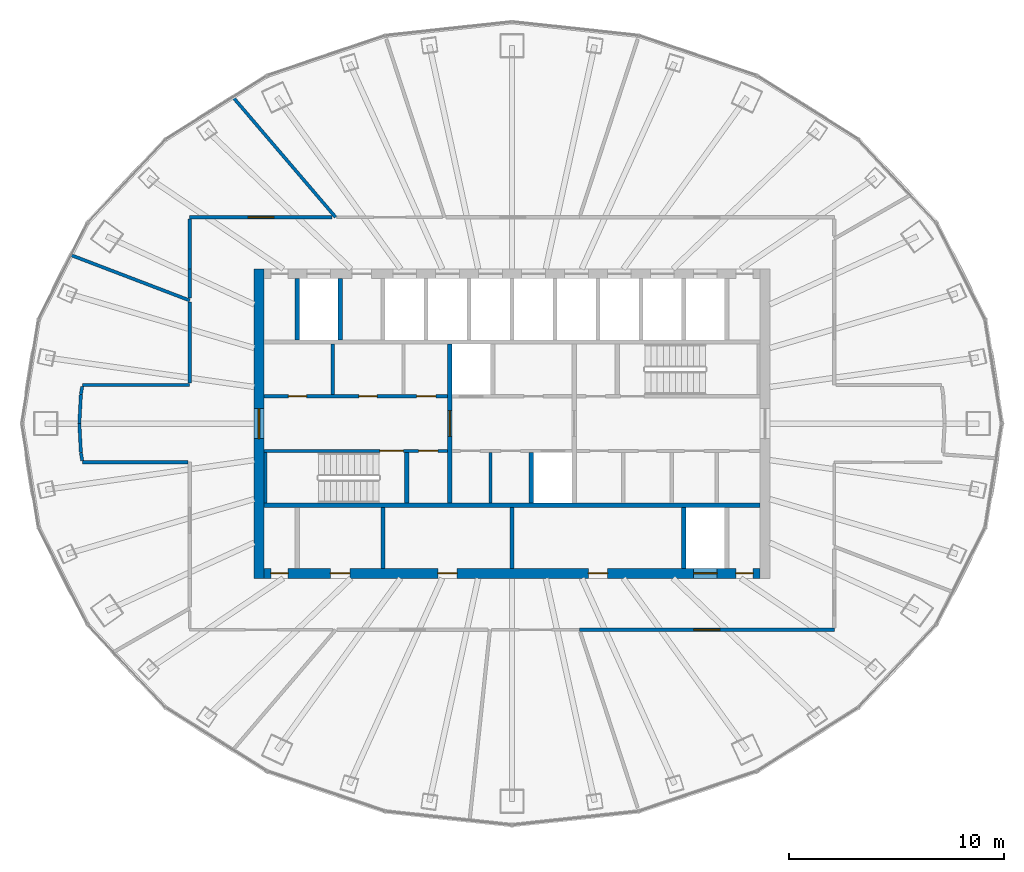
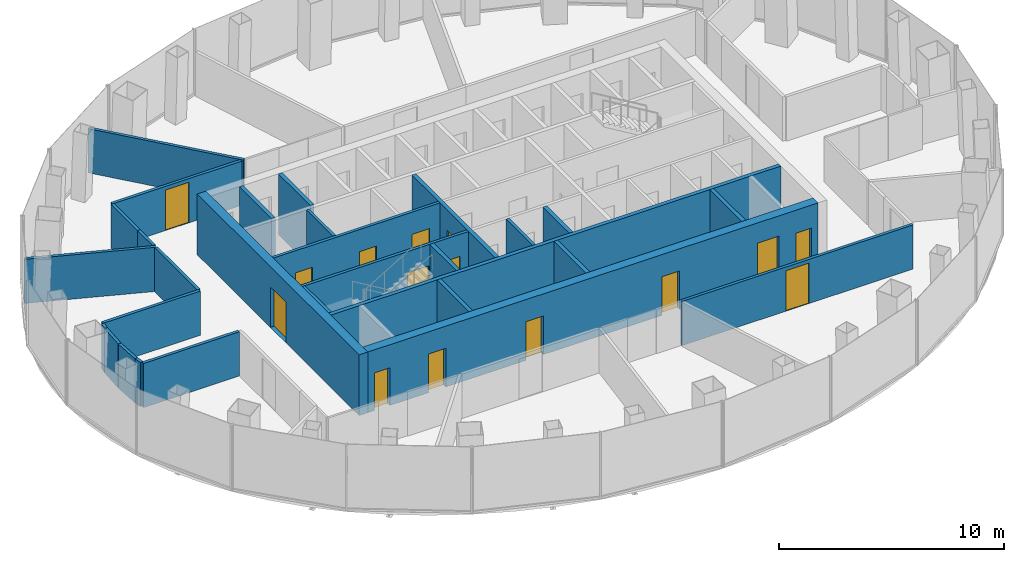
# One storey, part 8 of 11: 29 walls, 15 doors, 15 openings.
"""IFC4 building model written with IfcOpenShell, lengths in metres."""

from ifc_helpers import new_model, si_unit, direction, frame, frame_2d, origin, place, context, subcontext, project, spatial, rectangle, extrude, material, layer, layer_set, type_object, element, fill, save


model = new_model("IFC4")

# Units and contexts
model_context = context("Model", 3, precision=1e-05, world=origin(), true_north=direction((0.0, 1.0)))
body_context = subcontext(model_context, "Body", "Model", "MODEL_VIEW")
ifc_project = project(units=[si_unit("LENGTHUNIT", "METRE"), si_unit("AREAUNIT", "SQUARE_METRE"), si_unit("VOLUMEUNIT", "CUBIC_METRE"), si_unit("PLANEANGLEUNIT", "RADIAN"), si_unit("MASSUNIT", "GRAM", prefix="KILO")], contexts=[model_context])

# Site, building, storey
site_placement = place(None, origin())
site = spatial("IfcSite", under=ifc_project, at=site_placement, CompositionType="ELEMENT")
building_placement = place(site_placement, origin())
building = spatial("IfcBuilding", under=site, at=building_placement, Name="Siaravel Broadcast Tower", CompositionType="ELEMENT")
storey_placement = place(building_placement, frame((0.0, 0.0, 194.10009765625)))
storey = spatial("IfcBuildingStorey", under=building, at=storey_placement, Name="L47", CompositionType="ELEMENT", Elevation=194.10009765625)

# Walls
ifc_material_1 = material(Name="Concrete blockwork", Category="masonry")
ifc_layer_1 = layer(ifc_material_1, 0.14990234375)
ifc_layer_set_1 = layer_set([ifc_layer_1], Name="Concrete blockwork")
wall_type_1 = type_object("IfcWallType", Name="Core partition 150", PredefinedType="PARTITIONING", material=ifc_layer_set_1)
for number, where, z_axis, x_axis, name in (
    (1, (-8.340087890625, 1.35009765625, 0.0), (0.0, 0.0, 1.0), (0.0, 1.0, 0.0), "L47 core partition PNW0"),
    (2, (-1.0, -3.699951171875, 0.0), (0.0, 0.0, 1.0), (0.0, 1.0, 0.0), "L47 core partition PSM0"),
):
    element("IfcWall", number, at=place(storey_placement, frame(where, z_axis=z_axis, x_axis=x_axis)), inside=storey, type_object=wall_type_1, Name=name, PredefinedType="PARTITIONING", context=body_context, shape_type="SweptSolid", body=[
        extrude(rectangle(XDim=2.349853515625, YDim=0.14990234375, at=frame_2d((1.1748046875, 0.0))), origin(), (0.0, 0.0, 1.0), 3.2998046875),
    ])
ifc_layer_2 = layer(ifc_material_1, 0.199951171875)
ifc_layer_set_2 = layer_set([ifc_layer_2], Name="Concrete blockwork")
wall_type_2 = type_object("IfcWallType", Name="Core partition 200", PredefinedType="PARTITIONING", material=ifc_layer_set_2)
for number, where, z_axis, x_axis, name in (
    (3, (-6.0, -6.75, 0.0), (0.0, 0.0, 1.0), (0.0, 1.0, 0.0), "L47 core partition PFS0"),
    (4, (0.0, -6.75, 0.0), (0.0, 0.0, 1.0), (0.0, 1.0, 0.0), "L47 core partition PFS2"),
):
    element("IfcWall", number, at=place(storey_placement, frame(where, z_axis=z_axis, x_axis=x_axis)), inside=storey, type_object=wall_type_2, Name=name, PredefinedType="PARTITIONING", context=body_context, shape_type="SweptSolid", body=[
        extrude(rectangle(XDim=2.85009765625, YDim=0.199951171875, at=frame_2d((1.425048828125, 0.0))), origin(), (0.0, 0.0, 1.0), 3.2998046875),
    ])

# Wall, opening, door
ifc_material_2 = material(Name="Concrete C60/75", Category="concrete")
ifc_layer_3 = layer(ifc_material_2, 0.449951171875)
ifc_layer_set_3 = layer_set([ifc_layer_3], Name="Concrete C60/75")
wall_type_3 = type_object("IfcWallType", Name="Core wall 450", PredefinedType="SHEAR", material=ifc_layer_set_3)
wall_1_placement = place(storey_placement, frame((-11.77490234375, -7.199951171875, 0.0), z_axis=(0.0, 0.0, 1.0), x_axis=(0.0, 1.0, 0.0)))
wall_1 = element("IfcWall", 5, at=wall_1_placement, inside=storey, type_object=wall_type_3, Name="L47 core wall OW", PredefinedType="SHEAR", context=body_context, shape_type="SweptSolid", body=[
    extrude(rectangle(XDim=14.39990234375, YDim=0.449951171875, at=frame_2d((7.199951171875, 0.0))), origin(), (0.0, 0.0, 1.0), 3.2998046875),
])
opening_1_placement = place(wall_1_placement, frame((6.5, 0.0, 0.0)))
opening_1 = element("IfcOpeningElement", 6, at=opening_1_placement, cuts=wall_1, Name="Opening L47-DX-W", PredefinedType="OPENING", context=body_context, shape_type="SweptSolid", body=[
    extrude(rectangle(XDim=1.39990234375, YDim=2.199951171875, at=frame_2d((0.699951171875, 1.10009765625))), frame((0.0, 0.23486328125, 0.0), z_axis=(0.0, -1.0, 0.0), x_axis=(1.0, 0.0, 0.0)), (0.0, 0.0, 1.0), 0.469970703125),
])
ifc_material_3 = material(Name="Steel", Category="steel")
door_type_1 = type_object("IfcDoorType", Name="Core exit door 1400", OperationType="DOUBLE_DOOR_SINGLE_SWING", PredefinedType="DOOR", material=ifc_material_3)
door_1_placement = place(opening_1_placement, origin())
door_1 = element("IfcDoor", 7, at=door_1_placement, inside=storey, type_object=door_type_1, Name="L47 door DX-W", OperationType="DOUBLE_DOOR_SINGLE_SWING", OverallHeight=2.199951171875, OverallWidth=1.39990234375, PredefinedType="DOOR", context=body_context, shape_type="SweptSolid", body=[
    extrude(rectangle(XDim=1.39990234375, YDim=2.199951171875, at=frame_2d((0.699951171875, 1.10009765625))), frame((0.0, 0.02490234375, 0.0), z_axis=(0.0, -1.0, 0.0), x_axis=(1.0, 0.0, 0.0)), (0.0, 0.0, 1.0), 0.050048828125),
])
fill(opening_1, door_1)

# Wall, openings, doors
wall_2_placement = place(storey_placement, frame((-11.550048828125, -6.97509765625, 0.0), z_axis=(0.0, 0.0, 1.0), x_axis=(1.0, 0.0, 0.0)))
wall_2 = element("IfcWall", 8, at=wall_2_placement, inside=storey, type_object=wall_type_3, Name="L47 core wall OS", PredefinedType="SHEAR", context=body_context, shape_type="SweptSolid", body=[
    extrude(rectangle(XDim=23.10009765625, YDim=0.449951171875, at=frame_2d((11.550048828125, 0.0))), origin(), (0.0, 0.0, 1.0), 3.2998046875),
])
opening_2_placement = place(wall_2_placement, frame((20.0, 0.0, 0.0)))
opening_2 = element("IfcOpeningElement", 9, at=opening_2_placement, cuts=wall_2, Name="Opening LD-SV1-L47", PredefinedType="OPENING", context=body_context, shape_type="SweptSolid", body=[
    extrude(rectangle(XDim=1.10009765625, YDim=2.199951171875, at=frame_2d((0.550048828125, 1.10009765625))), frame((0.0, 0.23486328125, 0.0), z_axis=(0.0, -1.0, 0.0), x_axis=(1.0, 0.0, 0.0)), (0.0, 0.0, 1.0), 0.469970703125),
])
opening_3_placement = place(wall_2_placement, frame((3.10009765625, 0.0, 0.0)))
opening_3 = element("IfcOpeningElement", 10, at=opening_3_placement, cuts=wall_2, Name="Opening L47-DFS0", PredefinedType="OPENING", context=body_context, shape_type="SweptSolid", body=[
    extrude(rectangle(XDim=0.89990234375, YDim=2.10009765625, at=frame_2d((0.449951171875, 1.050048828125))), frame((0.0, 0.23486328125, 0.0), z_axis=(0.0, -1.0, 0.0), x_axis=(1.0, 0.0, 0.0)), (0.0, 0.0, 1.0), 0.469970703125),
])
opening_4_placement = place(wall_2_placement, frame((8.10009765625, 0.0, 0.0)))
opening_4 = element("IfcOpeningElement", 11, at=opening_4_placement, cuts=wall_2, Name="Opening L47-DFS2", PredefinedType="OPENING", context=body_context, shape_type="SweptSolid", body=[
    extrude(rectangle(XDim=0.89990234375, YDim=2.10009765625, at=frame_2d((0.449951171875, 1.050048828125))), frame((0.0, 0.23486328125, 0.0), z_axis=(0.0, -1.0, 0.0), x_axis=(1.0, 0.0, 0.0)), (0.0, 0.0, 1.0), 0.469970703125),
])
opening_5_placement = place(wall_2_placement, frame((15.10009765625, 0.0, 0.0)))
opening_5 = element("IfcOpeningElement", 12, at=opening_5_placement, cuts=wall_2, Name="Opening L47-DFS5", PredefinedType="OPENING", context=body_context, shape_type="SweptSolid", body=[
    extrude(rectangle(XDim=0.89990234375, YDim=2.10009765625, at=frame_2d((0.449951171875, 1.050048828125))), frame((0.0, 0.23486328125, 0.0), z_axis=(0.0, -1.0, 0.0), x_axis=(1.0, 0.0, 0.0)), (0.0, 0.0, 1.0), 0.469970703125),
])
opening_6_placement = place(wall_2_placement, frame((0.324951171875, 0.0, 0.0)))
opening_6 = element("IfcOpeningElement", 13, at=opening_6_placement, cuts=wall_2, Name="Opening L47-DRSW", PredefinedType="OPENING", context=body_context, shape_type="SweptSolid", body=[
    extrude(rectangle(XDim=0.800048828125, YDim=2.050048828125, at=frame_2d((0.39990234375, 1.02490234375))), frame((0.0, 0.23486328125, 0.0), z_axis=(0.0, -1.0, 0.0), x_axis=(1.0, 0.0, 0.0)), (0.0, 0.0, 1.0), 0.469970703125),
])
opening_7_placement = place(wall_2_placement, frame((21.97509765625, 0.0, 0.0)))
opening_7 = element("IfcOpeningElement", 14, at=opening_7_placement, cuts=wall_2, Name="Opening L47-DRSE", PredefinedType="OPENING", context=body_context, shape_type="SweptSolid", body=[
    extrude(rectangle(XDim=0.800048828125, YDim=2.050048828125, at=frame_2d((0.39990234375, 1.02490234375))), frame((0.0, 0.23486328125, 0.0), z_axis=(0.0, -1.0, 0.0), x_axis=(1.0, 0.0, 0.0)), (0.0, 0.0, 1.0), 0.469970703125),
])
ifc_material_4 = material(Name="Timber veneer", Category="wood")
door_type_2 = type_object("IfcDoorType", Name="Core room door 900", OperationType="SINGLE_SWING_LEFT", PredefinedType="DOOR", material=ifc_material_4)
door_2_placement = place(opening_3_placement, origin())
door_2 = element("IfcDoor", 15, at=door_2_placement, inside=storey, type_object=door_type_2, Name="L47 door DFS0", OperationType="SINGLE_SWING_LEFT", OverallHeight=2.10009765625, OverallWidth=0.89990234375, PredefinedType="DOOR", context=body_context, shape_type="SweptSolid", body=[
    extrude(rectangle(XDim=0.89990234375, YDim=2.10009765625, at=frame_2d((0.449951171875, 1.050048828125))), frame((0.0, 0.02490234375, 0.0), z_axis=(0.0, -1.0, 0.0), x_axis=(1.0, 0.0, 0.0)), (0.0, 0.0, 1.0), 0.050048828125),
])
fill(opening_3, door_2)
door_3_placement = place(opening_4_placement, origin())
door_3 = element("IfcDoor", 16, at=door_3_placement, inside=storey, type_object=door_type_2, Name="L47 door DFS2", OperationType="SINGLE_SWING_LEFT", OverallHeight=2.10009765625, OverallWidth=0.89990234375, PredefinedType="DOOR", context=body_context, shape_type="SweptSolid", body=[
    extrude(rectangle(XDim=0.89990234375, YDim=2.10009765625, at=frame_2d((0.449951171875, 1.050048828125))), frame((0.0, 0.02490234375, 0.0), z_axis=(0.0, -1.0, 0.0), x_axis=(1.0, 0.0, 0.0)), (0.0, 0.0, 1.0), 0.050048828125),
])
fill(opening_4, door_3)
door_4_placement = place(opening_5_placement, origin())
door_4 = element("IfcDoor", 17, at=door_4_placement, inside=storey, type_object=door_type_2, Name="L47 door DFS5", OperationType="SINGLE_SWING_LEFT", OverallHeight=2.10009765625, OverallWidth=0.89990234375, PredefinedType="DOOR", context=body_context, shape_type="SweptSolid", body=[
    extrude(rectangle(XDim=0.89990234375, YDim=2.10009765625, at=frame_2d((0.449951171875, 1.050048828125))), frame((0.0, 0.02490234375, 0.0), z_axis=(0.0, -1.0, 0.0), x_axis=(1.0, 0.0, 0.0)), (0.0, 0.0, 1.0), 0.050048828125),
])
fill(opening_5, door_4)
door_type_3 = type_object("IfcDoorType", Name="Riser door 800", OperationType="SINGLE_SWING_LEFT", PredefinedType="DOOR", material=ifc_material_3)
door_5_placement = place(opening_6_placement, origin())
door_5 = element("IfcDoor", 18, at=door_5_placement, inside=storey, type_object=door_type_3, Name="L47 door DRSW", OperationType="SINGLE_SWING_LEFT", OverallHeight=2.050048828125, OverallWidth=0.800048828125, PredefinedType="DOOR", context=body_context, shape_type="SweptSolid", body=[
    extrude(rectangle(XDim=0.800048828125, YDim=2.050048828125, at=frame_2d((0.39990234375, 1.02490234375))), frame((0.0, 0.02490234375, 0.0), z_axis=(0.0, -1.0, 0.0), x_axis=(1.0, 0.0, 0.0)), (0.0, 0.0, 1.0), 0.050048828125),
])
fill(opening_6, door_5)
door_6_placement = place(opening_7_placement, origin())
door_6 = element("IfcDoor", 19, at=door_6_placement, inside=storey, type_object=door_type_3, Name="L47 door DRSE", OperationType="SINGLE_SWING_LEFT", OverallHeight=2.050048828125, OverallWidth=0.800048828125, PredefinedType="DOOR", context=body_context, shape_type="SweptSolid", body=[
    extrude(rectangle(XDim=0.800048828125, YDim=2.050048828125, at=frame_2d((0.39990234375, 1.02490234375))), frame((0.0, 0.02490234375, 0.0), z_axis=(0.0, -1.0, 0.0), x_axis=(1.0, 0.0, 0.0)), (0.0, 0.0, 1.0), 0.050048828125),
])
fill(opening_7, door_6)
ifc_material_5 = material(Name="Stainless steel 316L", Category="steel")
door_type_4 = type_object("IfcDoorType", Name="Service lift landing door 1100", OperationType="DOUBLE_DOOR_SLIDING", PredefinedType="DOOR", material=ifc_material_5)
door_7_placement = place(opening_2_placement, origin())
door_7 = element("IfcDoor", 20, at=door_7_placement, inside=storey, type_object=door_type_4, Name="Landing door SV1 L47", OperationType="DOUBLE_DOOR_SLIDING", OverallHeight=2.199951171875, OverallWidth=1.10009765625, PredefinedType="DOOR", context=body_context, shape_type="SweptSolid", body=[
    extrude(rectangle(XDim=1.10009765625, YDim=2.199951171875, at=frame_2d((0.550048828125, 1.10009765625))), frame((0.0, 0.02490234375, 0.0), z_axis=(0.0, -1.0, 0.0), x_axis=(1.0, 0.0, 0.0)), (0.0, 0.0, 1.0), 0.050048828125),
])
fill(opening_2, door_7)

ifc_material_6 = material(Name="Gypsum board partition", Category="gypsum")
ifc_layer_4 = layer(ifc_material_6, 0.14990234375)
ifc_layer_set_4 = layer_set([ifc_layer_4], Name="Gypsum board partition")
wall_type_4 = type_object("IfcWallType", Name="Corridor wall 150", PredefinedType="PARTITIONING", material=ifc_layer_set_4)
wall_3_placement = place(storey_placement, frame((-11.550048828125, 1.27490234375, 0.0), z_axis=(0.0, 0.0, 1.0), x_axis=(1.0, 0.0, 0.0)))
wall_3 = element("IfcWall", 21, at=wall_3_placement, inside=storey, type_object=wall_type_4, Name="L47 core partition CNW", PredefinedType="PARTITIONING", context=body_context, shape_type="SweptSolid", body=[
    extrude(rectangle(XDim=8.550048828125, YDim=0.14990234375, at=frame_2d((4.27490234375, 0.0))), origin(), (0.0, 0.0, 1.0), 3.2998046875),
])
opening_8_placement = place(wall_3_placement, frame((1.142578125, 0.0, 0.0)))
opening_8 = element("IfcOpeningElement", 22, at=opening_8_placement, cuts=wall_3, Name="Opening L47-DNW0", PredefinedType="OPENING", context=body_context, shape_type="SweptSolid", body=[
    extrude(rectangle(XDim=0.85009765625, YDim=2.10009765625, at=frame_2d((0.425048828125, 1.050048828125))), frame((0.0, 0.0849609375, 0.0), z_axis=(0.0, -1.0, 0.0), x_axis=(1.0, 0.0, 0.0)), (0.0, 0.0, 1.0), 0.169921875),
])
opening_9_placement = place(wall_3_placement, frame((4.427490234375, 0.0, 0.0)))
opening_9 = element("IfcOpeningElement", 23, at=opening_9_placement, cuts=wall_3, Name="Opening L47-DNW1", PredefinedType="OPENING", context=body_context, shape_type="SweptSolid", body=[
    extrude(rectangle(XDim=0.85009765625, YDim=2.10009765625, at=frame_2d((0.425048828125, 1.050048828125))), frame((0.0, 0.0849609375, 0.0), z_axis=(0.0, -1.0, 0.0), x_axis=(1.0, 0.0, 0.0)), (0.0, 0.0, 1.0), 0.169921875),
])
opening_10_placement = place(wall_3_placement, frame((7.110107421875, 0.0, 0.0)))
opening_10 = element("IfcOpeningElement", 24, at=opening_10_placement, cuts=wall_3, Name="Opening L47-DNW2", PredefinedType="OPENING", context=body_context, shape_type="SweptSolid", body=[
    extrude(rectangle(XDim=0.89990234375, YDim=2.10009765625, at=frame_2d((0.449951171875, 1.050048828125))), frame((0.0, 0.0849609375, 0.0), z_axis=(0.0, -1.0, 0.0), x_axis=(1.0, 0.0, 0.0)), (0.0, 0.0, 1.0), 0.169921875),
])
door_8_placement = place(opening_10_placement, origin())
door_8 = element("IfcDoor", 25, at=door_8_placement, inside=storey, type_object=door_type_2, Name="L47 door DNW2", OperationType="SINGLE_SWING_LEFT", OverallHeight=2.10009765625, OverallWidth=0.89990234375, PredefinedType="DOOR", context=body_context, shape_type="SweptSolid", body=[
    extrude(rectangle(XDim=0.89990234375, YDim=2.10009765625, at=frame_2d((0.449951171875, 1.050048828125))), frame((0.0, 0.02490234375, 0.0), z_axis=(0.0, -1.0, 0.0), x_axis=(1.0, 0.0, 0.0)), (0.0, 0.0, 1.0), 0.050048828125),
])
fill(opening_10, door_8)
door_type_5 = type_object("IfcDoorType", Name="Core toilet door 850", OperationType="SINGLE_SWING_LEFT", PredefinedType="DOOR", material=ifc_material_4)
door_9_placement = place(opening_8_placement, origin())
door_9 = element("IfcDoor", 26, at=door_9_placement, inside=storey, type_object=door_type_5, Name="L47 door DNW0", OperationType="SINGLE_SWING_LEFT", OverallHeight=2.10009765625, OverallWidth=0.85009765625, PredefinedType="DOOR", context=body_context, shape_type="SweptSolid", body=[
    extrude(rectangle(XDim=0.85009765625, YDim=2.10009765625, at=frame_2d((0.425048828125, 1.050048828125))), frame((0.0, 0.02490234375, 0.0), z_axis=(0.0, -1.0, 0.0), x_axis=(1.0, 0.0, 0.0)), (0.0, 0.0, 1.0), 0.050048828125),
])
fill(opening_8, door_9)
door_10_placement = place(opening_9_placement, origin())
door_10 = element("IfcDoor", 27, at=door_10_placement, inside=storey, type_object=door_type_5, Name="L47 door DNW1", OperationType="SINGLE_SWING_LEFT", OverallHeight=2.10009765625, OverallWidth=0.85009765625, PredefinedType="DOOR", context=body_context, shape_type="SweptSolid", body=[
    extrude(rectangle(XDim=0.85009765625, YDim=2.10009765625, at=frame_2d((0.425048828125, 1.050048828125))), frame((0.0, 0.02490234375, 0.0), z_axis=(0.0, -1.0, 0.0), x_axis=(1.0, 0.0, 0.0)), (0.0, 0.0, 1.0), 0.050048828125),
])
fill(opening_9, door_10)

# Wall, opening, door
wall_4_placement = place(storey_placement, frame((3.140380859375, -9.60009765625, 0.0), z_axis=(0.0, 0.0, 1.0), x_axis=(1.0, 0.0, 0.0)))
wall_4 = element("IfcWall", 28, at=wall_4_placement, inside=storey, type_object=wall_type_4, Name="L47 partition 1", PredefinedType="PARTITIONING", context=body_context, shape_type="SweptSolid", body=[
    extrude(rectangle(XDim=11.859619140625, YDim=0.14990234375, at=frame_2d((5.9296875, 0.0))), origin(), (0.0, 0.0, 1.0), 2.39990234375),
])
opening_11_placement = place(wall_4_placement, frame((5.329833984375, 0.0, 0.0)))
opening_11 = element("IfcOpeningElement", 29, at=opening_11_placement, cuts=wall_4, Name="Opening L47-003", PredefinedType="OPENING", context=body_context, shape_type="SweptSolid", body=[
    extrude(rectangle(XDim=1.199951171875, YDim=2.199951171875, at=frame_2d((0.60009765625, 1.10009765625))), frame((0.0, 0.0849609375, 0.0), z_axis=(0.0, -1.0, 0.0), x_axis=(1.0, 0.0, 0.0)), (0.0, 0.0, 1.0), 0.169921875),
])
door_type_6 = type_object("IfcDoorType", Name="Office double door 1200", OperationType="DOUBLE_DOOR_SINGLE_SWING", PredefinedType="DOOR", material=ifc_material_4)
door_11_placement = place(opening_11_placement, origin())
door_11 = element("IfcDoor", 30, at=door_11_placement, inside=storey, type_object=door_type_6, Name="L47 door to Open plan office", OperationType="DOUBLE_DOOR_SINGLE_SWING", OverallHeight=2.199951171875, OverallWidth=1.199951171875, PredefinedType="DOOR", context=body_context, shape_type="SweptSolid", body=[
    extrude(rectangle(XDim=1.199951171875, YDim=2.199951171875, at=frame_2d((0.60009765625, 1.10009765625))), frame((0.0, 0.02490234375, 0.0), z_axis=(0.0, -1.0, 0.0), x_axis=(1.0, 0.0, 0.0)), (0.0, 0.0, 1.0), 0.050048828125),
])
fill(opening_11, door_11)

wall_5_placement = place(storey_placement, frame((-8.371337890625, 9.60009765625, 0.0), z_axis=(0.0, 0.0, 1.0), x_axis=(-1.0, 0.0, 0.0)))
wall_5 = element("IfcWall", 31, at=wall_5_placement, inside=storey, type_object=wall_type_4, Name="L47 partition 11", PredefinedType="PARTITIONING", context=body_context, shape_type="SweptSolid", body=[
    extrude(rectangle(XDim=6.628662109375, YDim=0.14990234375, at=frame_2d((3.314453125, 0.0))), origin(), (0.0, 0.0, 1.0), 2.39990234375),
])
opening_12_placement = place(wall_5_placement, frame((2.71435546875, 0.0, 0.0)))
opening_12 = element("IfcOpeningElement", 32, at=opening_12_placement, cuts=wall_5, Name="Opening L47-010", PredefinedType="OPENING", context=body_context, shape_type="SweptSolid", body=[
    extrude(rectangle(XDim=1.199951171875, YDim=2.199951171875, at=frame_2d((0.60009765625, 1.10009765625))), frame((0.0, 0.0849609375, 0.0), z_axis=(0.0, -1.0, 0.0), x_axis=(1.0, 0.0, 0.0)), (0.0, 0.0, 1.0), 0.169921875),
])
door_12_placement = place(opening_12_placement, origin())
door_12 = element("IfcDoor", 33, at=door_12_placement, inside=storey, type_object=door_type_6, Name="L47 door to Open plan office", OperationType="DOUBLE_DOOR_SINGLE_SWING", OverallHeight=2.199951171875, OverallWidth=1.199951171875, PredefinedType="DOOR", context=body_context, shape_type="SweptSolid", body=[
    extrude(rectangle(XDim=1.199951171875, YDim=2.199951171875, at=frame_2d((0.60009765625, 1.10009765625))), frame((0.0, 0.02490234375, 0.0), z_axis=(0.0, -1.0, 0.0), x_axis=(1.0, 0.0, 0.0)), (0.0, 0.0, 1.0), 0.050048828125),
])
fill(opening_12, door_12)

# Walls
wall_6_placement = place(storey_placement, frame((-19.9921875, -1.800048828125, 0.0), z_axis=(0.0, 0.0, 1.0), x_axis=(1.0, 0.0, 0.0)))
element("IfcWall", 34, at=wall_6_placement, inside=storey, type_object=wall_type_4, Name="L47 partition 18", PredefinedType="PARTITIONING", context=body_context, shape_type="SweptSolid", body=[
    extrude(rectangle(XDim=4.915283203125, YDim=0.14990234375, at=frame_2d((2.45751953125, 0.0))), origin(), (0.0, 0.0, 1.0), 2.39990234375),
])
wall_7_placement = place(storey_placement, frame((-15.0, 1.800048828125, 0.0), z_axis=(0.0, 0.0, 1.0), x_axis=(-1.0, 0.0, 0.0)))
element("IfcWall", 35, at=wall_7_placement, inside=storey, type_object=wall_type_4, Name="L47 partition 19", PredefinedType="PARTITIONING", context=body_context, shape_type="SweptSolid", body=[
    extrude(rectangle(XDim=4.9921875, YDim=0.14990234375, at=frame_2d((2.49609375, 0.0))), origin(), (0.0, 0.0, 1.0), 2.39990234375),
])
wall_8_placement = place(storey_placement, frame((-15.0, 5.6572265625, 0.0), z_axis=(0.0, 0.0, 1.0), x_axis=(0.0, -1.0, 0.0)))
element("IfcWall", 36, at=wall_8_placement, inside=storey, type_object=wall_type_4, Name="L47 partition 25", PredefinedType="PARTITIONING", context=body_context, shape_type="SweptSolid", body=[
    extrude(rectangle(XDim=3.7802734375, YDim=0.14990234375, at=frame_2d((1.89013671875, 0.0))), origin(), (0.0, 0.0, 1.0), 2.39990234375),
])
wall_9_placement = place(storey_placement, frame((-15.0, 9.52294921875, 0.0), z_axis=(0.0, 0.0, 1.0), x_axis=(0.0, -1.0, 0.0)))
element("IfcWall", 37, at=wall_9_placement, inside=storey, type_object=wall_type_4, Name="L47 partition 28", PredefinedType="PARTITIONING", context=body_context, shape_type="SweptSolid", body=[
    extrude(rectangle(XDim=2.3349609375, YDim=0.14990234375, at=frame_2d((1.16748046875, 0.0))), origin(), (0.0, 0.0, 1.0), 2.39990234375),
])
wall_10_placement = place(storey_placement, frame((-15.0, 7.18701171875, 0.0), z_axis=(0.0, 0.0, 1.0), x_axis=(0.0, -1.0, 0.0)))
element("IfcWall", 38, at=wall_10_placement, inside=storey, type_object=wall_type_4, Name="L47 partition 31", PredefinedType="PARTITIONING", context=body_context, shape_type="SweptSolid", body=[
    extrude(rectangle(XDim=1.3466796875, YDim=0.14990234375, at=frame_2d((0.67333984375, 0.0))), origin(), (0.0, 0.0, 1.0), 2.39990234375),
])
wall_11_placement = place(storey_placement, frame((-20.13671875, 0.0, 0.0), z_axis=(0.0, 0.0, 1.0), x_axis=(0.053233569, -0.998582088, 0.0)))
element("IfcWall", 39, at=wall_11_placement, inside=storey, type_object=wall_type_4, Name="L47 partition 35", PredefinedType="PARTITIONING", context=body_context, shape_type="SweptSolid", body=[
    extrude(rectangle(XDim=1.348388671875, YDim=0.14990234375, at=frame_2d((0.67431640625, 0.0))), origin(), (0.0, 0.0, 1.0), 2.39990234375),
])
wall_12_placement = place(storey_placement, frame((-20.06494140625, 1.346435546875, 0.0), z_axis=(0.0, 0.0, 1.0), x_axis=(-0.053267345, -0.998580287, 0.0)))
element("IfcWall", 40, at=wall_12_placement, inside=storey, type_object=wall_type_4, Name="L47 partition 36", PredefinedType="PARTITIONING", context=body_context, shape_type="SweptSolid", body=[
    extrude(rectangle(XDim=1.33837890625, YDim=0.14990234375, at=frame_2d((0.669189453125, 0.0))), origin(), (0.0, 0.0, 1.0), 2.39990234375),
])
for number, where, z_axis, x_axis, name in (
    (41, (-20.0634765625, -1.356201171875, 0.0), (0.0, 0.0, 1.0), (0.158882963, -0.987297424, 0.0), "L47 partition 40"),
    (42, (-20.004150390625, 1.724853515625, 0.0), (0.0, 0.0, 1.0), (-0.158882963, -0.987297424, 0.0), "L47 partition 41"),
):
    element("IfcWall", number, at=place(storey_placement, frame(where, z_axis=z_axis, x_axis=x_axis)), inside=storey, type_object=wall_type_4, Name=name, PredefinedType="PARTITIONING", context=body_context, shape_type="SweptSolid", body=[
        extrude(rectangle(XDim=0.373291015625, YDim=0.14990234375, at=frame_2d((0.1865234375, 0.0))), origin(), (0.0, 0.0, 1.0), 2.39990234375),
    ])
ifc_layer_5 = layer(ifc_material_6, 0.14990234375)
ifc_layer_set_5 = layer_set([ifc_layer_5], Name="Gypsum board partition")
wall_type_5 = type_object("IfcWallType", Name="Room partition 150", PredefinedType="PARTITIONING", material=ifc_layer_set_5)
wall_13_placement = place(storey_placement, frame((-12.974853515625, 15.177978515625, 0.0), z_axis=(0.0, 0.0, 1.0), x_axis=(0.649790761, -0.760113128, 0.0)))
element("IfcWall", 43, at=wall_13_placement, inside=storey, type_object=wall_type_5, Name="L47 partition 7", PredefinedType="PARTITIONING", context=body_context, shape_type="SweptSolid", body=[
    extrude(rectangle(XDim=7.338134765625, YDim=0.14990234375, at=frame_2d((3.6689453125, 0.0))), origin(), (0.0, 0.0, 1.0), 2.39990234375),
])
wall_14_placement = place(storey_placement, frame((-20.515380859375, 7.8359375, 0.0), z_axis=(0.0, 0.0, 1.0), x_axis=(0.934186062, -0.356786213, 0.0)))
element("IfcWall", 44, at=wall_14_placement, inside=storey, type_object=wall_type_5, Name="L47 partition 13", PredefinedType="PARTITIONING", context=body_context, shape_type="SweptSolid", body=[
    extrude(rectangle(XDim=5.904052734375, YDim=0.14990234375, at=frame_2d((2.9521484375, 0.0))), origin(), (0.0, 0.0, 1.0), 2.39990234375),
])

# Wall, openings, doors
ifc_layer_6 = layer(ifc_material_2, 0.14990234375)
ifc_layer_set_6 = layer_set([ifc_layer_6], Name="Concrete C60/75")
wall_type_6 = type_object("IfcWallType", Name="Shaft wall 150", PredefinedType="SHEAR", material=ifc_layer_set_6)
wall_15_placement = place(storey_placement, frame((-11.550048828125, -1.27490234375, 0.0), z_axis=(0.0, 0.0, 1.0), x_axis=(1.0, 0.0, 0.0)))
wall_15 = element("IfcWall", 45, at=wall_15_placement, inside=storey, type_object=wall_type_6, Name="L47 core wall CSW", PredefinedType="SHEAR", context=body_context, shape_type="SweptSolid", body=[
    extrude(rectangle(XDim=8.550048828125, YDim=0.14990234375, at=frame_2d((4.27490234375, 0.0))), origin(), (0.0, 0.0, 1.0), 3.2998046875),
])
opening_13_placement = place(wall_15_placement, frame((5.39990234375, 0.0, 0.0)))
opening_13 = element("IfcOpeningElement", 46, at=opening_13_placement, cuts=wall_15, Name="Opening L47-DS-1", PredefinedType="OPENING", context=body_context, shape_type="SweptSolid", body=[
    extrude(rectangle(XDim=1.10009765625, YDim=2.14990234375, at=frame_2d((0.550048828125, 1.074951171875))), frame((0.0, 0.0849609375, 0.0), z_axis=(0.0, -1.0, 0.0), x_axis=(1.0, 0.0, 0.0)), (0.0, 0.0, 1.0), 0.169921875),
])
opening_14_placement = place(wall_15_placement, frame((7.199951171875, 0.0, 0.0)))
opening_14 = element("IfcOpeningElement", 47, at=opening_14_placement, cuts=wall_15, Name="Opening L47-DSW0", PredefinedType="OPENING", context=body_context, shape_type="SweptSolid", body=[
    extrude(rectangle(XDim=0.89990234375, YDim=2.10009765625, at=frame_2d((0.449951171875, 1.050048828125))), frame((0.0, 0.0849609375, 0.0), z_axis=(0.0, -1.0, 0.0), x_axis=(1.0, 0.0, 0.0)), (0.0, 0.0, 1.0), 0.169921875),
])
door_13_placement = place(opening_14_placement, origin())
door_13 = element("IfcDoor", 48, at=door_13_placement, inside=storey, type_object=door_type_2, Name="L47 door DSW0", OperationType="SINGLE_SWING_LEFT", OverallHeight=2.10009765625, OverallWidth=0.89990234375, PredefinedType="DOOR", context=body_context, shape_type="SweptSolid", body=[
    extrude(rectangle(XDim=0.89990234375, YDim=2.10009765625, at=frame_2d((0.449951171875, 1.050048828125))), frame((0.0, 0.02490234375, 0.0), z_axis=(0.0, -1.0, 0.0), x_axis=(1.0, 0.0, 0.0)), (0.0, 0.0, 1.0), 0.050048828125),
])
fill(opening_14, door_13)
door_type_7 = type_object("IfcDoorType", Name="Stair door 1100", OperationType="SINGLE_SWING_LEFT", PredefinedType="DOOR", material=ifc_material_3)
door_14_placement = place(opening_13_placement, origin())
door_14 = element("IfcDoor", 49, at=door_14_placement, inside=storey, type_object=door_type_7, Name="L47 door DS-1", OperationType="SINGLE_SWING_LEFT", OverallHeight=2.14990234375, OverallWidth=1.10009765625, PredefinedType="DOOR", context=body_context, shape_type="SweptSolid", body=[
    extrude(rectangle(XDim=1.10009765625, YDim=2.14990234375, at=frame_2d((0.550048828125, 1.074951171875))), frame((0.0, 0.02490234375, 0.0), z_axis=(0.0, -1.0, 0.0), x_axis=(1.0, 0.0, 0.0)), (0.0, 0.0, 1.0), 0.050048828125),
])
fill(opening_13, door_14)

# Walls
wall_16_placement = place(storey_placement, frame((-11.47509765625, -3.699951171875, 0.0), z_axis=(0.0, 0.0, 1.0), x_axis=(0.0, 1.0, 0.0)))
element("IfcWall", 50, at=wall_16_placement, inside=storey, type_object=wall_type_6, Name="L47 core wall ST1W", PredefinedType="SHEAR", context=body_context, shape_type="SweptSolid", body=[
    extrude(rectangle(XDim=2.349853515625, YDim=0.14990234375, at=frame_2d((1.1748046875, 0.0))), origin(), (0.0, 0.0, 1.0), 3.2998046875),
])
ifc_layer_7 = layer(ifc_material_2, 0.199951171875)
ifc_layer_set_7 = layer_set([ifc_layer_7], Name="Concrete C60/75")
wall_type_7 = type_object("IfcWallType", Name="Shaft wall 200", PredefinedType="SHEAR", material=ifc_layer_set_7)
wall_17_placement = place(storey_placement, frame((-11.550048828125, -3.800048828125, 0.0), z_axis=(0.0, 0.0, 1.0), x_axis=(1.0, 0.0, 0.0)))
element("IfcWall", 51, at=wall_17_placement, inside=storey, type_object=wall_type_7, Name="L47 core wall BS", PredefinedType="SHEAR", context=body_context, shape_type="SweptSolid", body=[
    extrude(rectangle(XDim=23.10009765625, YDim=0.199951171875, at=frame_2d((11.550048828125, 0.0))), origin(), (0.0, 0.0, 1.0), 3.2998046875),
])
for number, where, z_axis, x_axis, name in (
    (52, (8.0, -6.75, 0.0), (0.0, 0.0, 1.0), (0.0, 1.0, 0.0), "L47 core wall SWS9"),
    (53, (-10.0, 3.89990234375, 0.0), (0.0, 0.0, 1.0), (0.0, 1.0, 0.0), "L47 core wall SWN0"),
    (54, (-8.0, 3.89990234375, 0.0), (0.0, 0.0, 1.0), (0.0, 1.0, 0.0), "L47 core wall SWN1"),
):
    element("IfcWall", number, at=place(storey_placement, frame(where, z_axis=z_axis, x_axis=x_axis)), inside=storey, type_object=wall_type_7, Name=name, PredefinedType="SHEAR", context=body_context, shape_type="SweptSolid", body=[
        extrude(rectangle(XDim=2.85009765625, YDim=0.199951171875, at=frame_2d((1.425048828125, 0.0))), origin(), (0.0, 0.0, 1.0), 3.2998046875),
    ])

# Wall, opening, door
wall_18_placement = place(storey_placement, frame((-2.89990234375, -3.699951171875, 0.0), z_axis=(0.0, 0.0, 1.0), x_axis=(0.0, 1.0, 0.0)))
wall_18 = element("IfcWall", 55, at=wall_18_placement, inside=storey, type_object=wall_type_7, Name="L47 core wall LW", PredefinedType="SHEAR", context=body_context, shape_type="SweptSolid", body=[
    extrude(rectangle(XDim=7.39990234375, YDim=0.199951171875, at=frame_2d((3.699951171875, 0.0))), origin(), (0.0, 0.0, 1.0), 3.2998046875),
])
opening_15_placement = place(wall_18_placement, frame((3.10009765625, 0.0, 0.0)))
opening_15 = element("IfcOpeningElement", 56, at=opening_15_placement, cuts=wall_18, Name="Opening L47-DL-W", PredefinedType="OPENING", context=body_context, shape_type="SweptSolid", body=[
    extrude(rectangle(XDim=1.199951171875, YDim=2.199951171875, at=frame_2d((0.60009765625, 1.10009765625))), frame((0.0, 0.10986328125, 0.0), z_axis=(0.0, -1.0, 0.0), x_axis=(1.0, 0.0, 0.0)), (0.0, 0.0, 1.0), 0.219970703125),
])
door_type_8 = type_object("IfcDoorType", Name="Firefighting lobby door 1200", OperationType="SINGLE_SWING_LEFT", PredefinedType="DOOR", material=ifc_material_3)
door_15_placement = place(opening_15_placement, origin())
door_15 = element("IfcDoor", 57, at=door_15_placement, inside=storey, type_object=door_type_8, Name="L47 door DL-W", OperationType="SINGLE_SWING_LEFT", OverallHeight=2.199951171875, OverallWidth=1.199951171875, PredefinedType="DOOR", context=body_context, shape_type="SweptSolid", body=[
    extrude(rectangle(XDim=1.199951171875, YDim=2.199951171875, at=frame_2d((0.60009765625, 1.10009765625))), frame((0.0, 0.02490234375, 0.0), z_axis=(0.0, -1.0, 0.0), x_axis=(1.0, 0.0, 0.0)), (0.0, 0.0, 1.0), 0.050048828125),
])
fill(opening_15, door_15)

# Walls
for number, where, z_axis, x_axis, name in (
    (58, (0.89990234375, -3.699951171875, 0.0), (0.0, 0.0, 1.0), (0.0, 1.0, 0.0), "L47 core wall FF2W"),
    (59, (-4.89990234375, -3.699951171875, 0.0), (0.0, 0.0, 1.0), (0.0, 1.0, 0.0), "L47 core wall ST1E"),
):
    element("IfcWall", number, at=place(storey_placement, frame(where, z_axis=z_axis, x_axis=x_axis)), inside=storey, type_object=wall_type_7, Name=name, PredefinedType="SHEAR", context=body_context, shape_type="SweptSolid", body=[
        extrude(rectangle(XDim=2.349853515625, YDim=0.199951171875, at=frame_2d((1.1748046875, 0.0))), origin(), (0.0, 0.0, 1.0), 3.2998046875),
    ])

save(model, "model.ifc")
